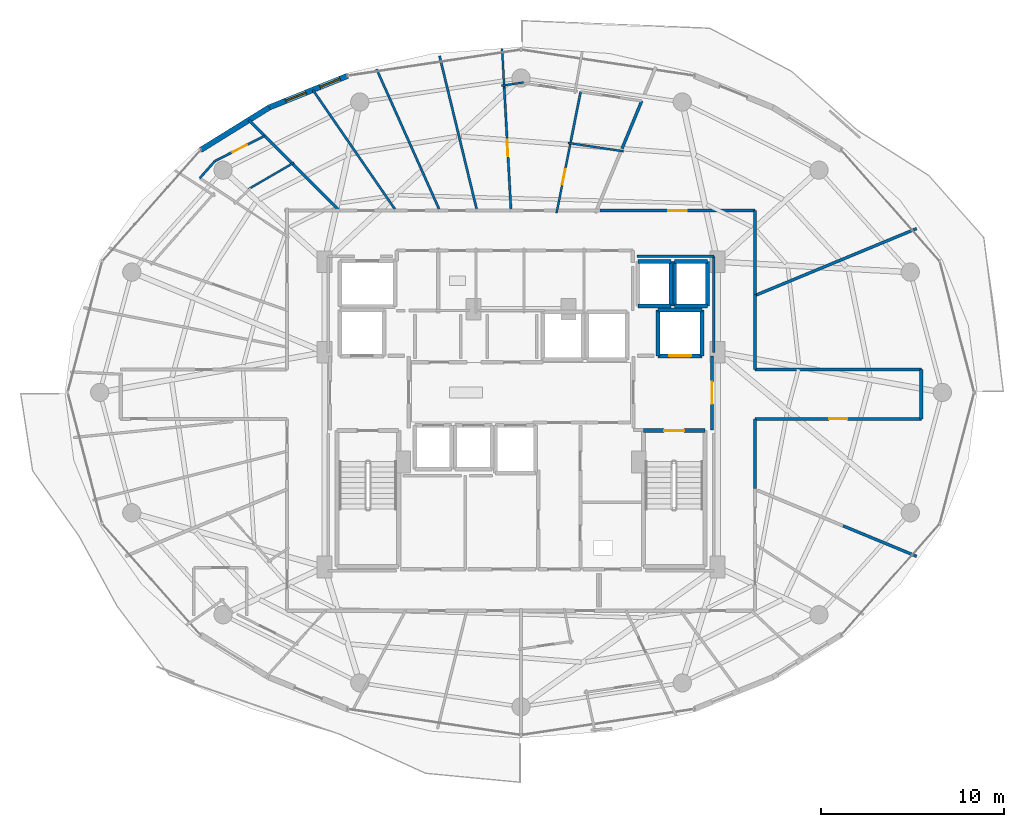
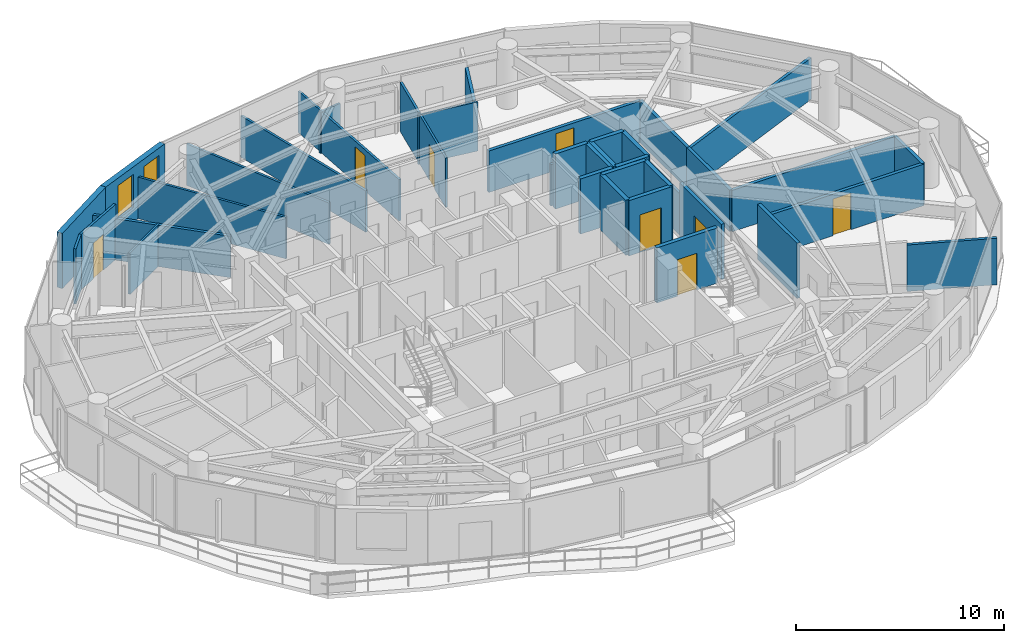
# One storey, part 24 of 28: 40 walls, 8 doors, 2 windows, 10 openings.
"""IFC4 building model written with IfcOpenShell, lengths in metres."""

from ifc_helpers import new_model, si_unit, direction, frame, frame_2d, origin, place, context, subcontext, project, spatial, rectangle, extrude, material, layer, layer_set, type_object, element, fill, save


model = new_model("IFC4")

# Units and contexts
model_context = context("Model", 3, precision=1e-05, world=origin(), true_north=direction((0.0, 1.0)))
body_context = subcontext(model_context, "Body", "Model", "MODEL_VIEW")
ifc_project = project(units=[si_unit("LENGTHUNIT", "METRE"), si_unit("AREAUNIT", "SQUARE_METRE"), si_unit("VOLUMEUNIT", "CUBIC_METRE"), si_unit("PLANEANGLEUNIT", "RADIAN"), si_unit("MASSUNIT", "GRAM", prefix="KILO")], contexts=[model_context])

# Site, building, storey
site_placement = place(None, origin())
site = spatial("IfcSite", under=ifc_project, at=site_placement, CompositionType="ELEMENT")
building_placement = place(site_placement, origin())
building = spatial("IfcBuilding", under=site, at=building_placement, Name="Vorneva Point Tower", CompositionType="ELEMENT")
storey_placement = place(building_placement, frame((0.0, 0.0, 160.60009765625)))
storey = spatial("IfcBuildingStorey", under=building, at=storey_placement, Name="L43", CompositionType="ELEMENT", Elevation=160.60009765625)

# Wall, opening, door
ifc_material_1 = material(Name="Concrete B60 (C50/60)", Category="concrete")
ifc_layer_1 = layer(ifc_material_1, 0.5)
ifc_layer_set_1 = layer_set([ifc_layer_1], Name="Concrete B60 (C50/60)")
wall_type_1 = type_object("IfcWallType", Name="WL-CORE-500", PredefinedType="SHEAR", material=ifc_layer_set_1)
wall_1_placement = place(storey_placement, frame((45.5, 28.0, 0.0), z_axis=(0.0, 0.0, 1.0), x_axis=(1.0, 0.0, 0.0)))
wall_1 = element("IfcWall", 1, at=wall_1_placement, inside=storey, type_object=wall_type_1, Name="L43 Lift FFL2 Shaft Wall -Y", PredefinedType="SHEAR", context=body_context, shape_type="SweptSolid", body=[
    extrude(rectangle(XDim=2.39990234375, YDim=0.219970703125, at=frame_2d((1.199951171875, 0.0))), origin(), (0.0, 0.0, 1.0), 3.239990234375),
])
opening_1_placement = place(wall_1_placement, frame((0.60009765625, 0.0, 0.0)))
opening_1 = element("IfcOpeningElement", 2, at=opening_1_placement, cuts=wall_1, Name="Opening LD-02", PredefinedType="OPENING", context=body_context, shape_type="SweptSolid", body=[
    extrude(rectangle(XDim=1.199951171875, YDim=2.199951171875, at=frame_2d((0.60009765625, 1.10009765625))), frame((0.0, 0.125, 0.0), z_axis=(0.0, -1.0, 0.0), x_axis=(1.0, 0.0, 0.0)), (0.0, 0.0, 1.0), 0.249755859375),
])
ifc_material_2 = material(Name="Brushed stainless steel S304", Category="steel")
door_type_1 = type_object("IfcDoorType", Name="LD-FIRE-1200", OperationType="SLIDING_TO_LEFT", PredefinedType="DOOR", material=ifc_material_2)
door_1_placement = place(opening_1_placement, origin())
door_1 = element("IfcDoor", 3, at=door_1_placement, inside=storey, type_object=door_type_1, Name="L43 Lift FFL2 Sliding Landing Door", OperationType="SLIDING_TO_LEFT", OverallHeight=2.199951171875, OverallWidth=1.199951171875, PredefinedType="DOOR", context=body_context, shape_type="SweptSolid", body=[
    extrude(rectangle(XDim=1.199951171875, YDim=2.199951171875, at=frame_2d((0.60009765625, 1.10009765625))), frame((0.0, 0.02490234375, 0.0), z_axis=(0.0, -1.0, 0.0), x_axis=(1.0, 0.0, 0.0)), (0.0, 0.0, 1.0), 0.050048828125),
])
fill(opening_1, door_1)

# Walls
wall_2_placement = place(storey_placement, frame((47.89990234375, 28.0, 0.0), z_axis=(0.0, 0.0, 1.0), x_axis=(0.0, 1.0, 0.0)))
element("IfcWall", 4, at=wall_2_placement, inside=storey, type_object=wall_type_1, Name="L43 Lift FFL2 Shaft Wall +X", PredefinedType="SHEAR", context=body_context, shape_type="SweptSolid", body=[
    extrude(rectangle(XDim=2.5, YDim=0.219970703125, at=frame_2d((1.25, 0.0))), origin(), (0.0, 0.0, 1.0), 3.239990234375),
])
wall_3_placement = place(storey_placement, frame((47.89990234375, 30.5, 0.0), z_axis=(0.0, 0.0, 1.0), x_axis=(-1.0, 0.0, 0.0)))
element("IfcWall", 5, at=wall_3_placement, inside=storey, type_object=wall_type_1, Name="L43 Lift FFL2 Shaft Wall +Y", PredefinedType="SHEAR", context=body_context, shape_type="SweptSolid", body=[
    extrude(rectangle(XDim=2.39990234375, YDim=0.219970703125, at=frame_2d((1.199951171875, 0.0))), origin(), (0.0, 0.0, 1.0), 3.239990234375),
])
wall_4_placement = place(storey_placement, frame((45.5, 30.5, 0.0), z_axis=(0.0, 0.0, 1.0), x_axis=(0.0, -1.0, 0.0)))
element("IfcWall", 6, at=wall_4_placement, inside=storey, type_object=wall_type_1, Name="L43 Lift FFL2 Shaft Wall -X", PredefinedType="SHEAR", context=body_context, shape_type="SweptSolid", body=[
    extrude(rectangle(XDim=2.5, YDim=0.219970703125, at=frame_2d((1.25, 0.0))), origin(), (0.0, 0.0, 1.0), 3.239990234375),
])

# Wall, openings, windows
ifc_material_3 = material(Name="Precast concrete B50 (C40/50)", Category="concrete")
ifc_layer_2 = layer(ifc_material_3, 0.300048828125)
ifc_layer_set_2 = layer_set([ifc_layer_2], Name="Precast concrete B50 (C40/50)")
wall_type_2 = type_object("IfcWallType", Name="WL-EXT-300", PredefinedType="STANDARD", material=ifc_layer_set_2)
wall_5_placement = place(storey_placement, frame((28.509521484375, 43.32275390625, 0.0), z_axis=(0.0, 0.0, 1.0), x_axis=(-0.927156504392, -0.374674280359, 0.0)))
wall_5 = element("IfcWall", 7, at=wall_5_placement, inside=storey, type_object=wall_type_2, Name="L43 Pale-Metal Facade Spandrel Wall 06.1", PredefinedType="STANDARD", context=body_context, shape_type="SweptSolid", body=[
    extrude(rectangle(XDim=4.62451171875, YDim=0.300048828125, at=frame_2d((2.312255859375, 0.0))), origin(), (0.0, 0.0, 1.0), 3.239990234375),
])
opening_2_placement = place(wall_5_placement, frame((0.4365234375, 0.0, 0.85009765625)))
opening_2 = element("IfcOpeningElement", 8, at=opening_2_placement, cuts=wall_5, Name="Opening W-04", PredefinedType="OPENING", context=body_context, shape_type="SweptSolid", body=[
    extrude(rectangle(XDim=1.199951171875, YDim=1.949951171875, at=frame_2d((0.60009765625, 0.97509765625))), frame((0.0, 0.1650390625, 0.0), z_axis=(0.0, -1.0, 0.0), x_axis=(1.0, 0.0, 0.0)), (0.0, 0.0, 1.0), 0.329833984375),
])
opening_3_placement = place(wall_5_placement, frame((2.453857421875, 0.0, 0.85009765625)))
opening_3 = element("IfcOpeningElement", 9, at=opening_3_placement, cuts=wall_5, Name="Opening W-04", PredefinedType="OPENING", context=body_context, shape_type="SweptSolid", body=[
    extrude(rectangle(XDim=1.199951171875, YDim=1.949951171875, at=frame_2d((0.60009765625, 0.97509765625))), frame((0.0, 0.1650390625, 0.0), z_axis=(0.0, -1.0, 0.0), x_axis=(1.0, 0.0, 0.0)), (0.0, 0.0, 1.0), 0.329833984375),
])
ifc_material_4 = material(Name="Double low-e laminated glass IGU", Category="glass")
window_type = type_object("IfcWindowType", Name="WN-RES-1200", PartitioningType="SINGLE_PANEL", PredefinedType="WINDOW", material=ifc_material_4)
window_1_placement = place(opening_2_placement, origin())
window_1 = element("IfcWindow", 10, at=window_1_placement, inside=storey, type_object=window_type, Name="L43 Dwelling Vision Window 01", OverallHeight=1.949951171875, OverallWidth=1.199951171875, PartitioningType="SINGLE_PANEL", PredefinedType="WINDOW", context=body_context, shape_type="SweptSolid", body=[
    extrude(rectangle(XDim=1.199951171875, YDim=1.949951171875, at=frame_2d((0.60009765625, 0.97509765625))), frame((0.0, 0.030029296875, 0.0), z_axis=(0.0, -1.0, 0.0), x_axis=(1.0, 0.0, 0.0)), (0.0, 0.0, 1.0), 0.06005859375),
])
fill(opening_2, window_1)
window_2_placement = place(opening_3_placement, origin())
window_2 = element("IfcWindow", 11, at=window_2_placement, inside=storey, type_object=window_type, Name="L43 Dwelling Vision Window 02", OverallHeight=1.949951171875, OverallWidth=1.199951171875, PartitioningType="SINGLE_PANEL", PredefinedType="WINDOW", context=body_context, shape_type="SweptSolid", body=[
    extrude(rectangle(XDim=1.199951171875, YDim=1.949951171875, at=frame_2d((0.60009765625, 0.97509765625))), frame((0.0, 0.030029296875, 0.0), z_axis=(0.0, -1.0, 0.0), x_axis=(1.0, 0.0, 0.0)), (0.0, 0.0, 1.0), 0.06005859375),
])
fill(opening_3, window_2)

# Wall
wall_6_placement = place(storey_placement, frame((24.221923828125, 41.590087890625, 0.0), z_axis=(0.0, 0.0, 1.0), x_axis=(-0.849721181976, -0.527232313977, 0.0)))
element("IfcWall", 12, at=wall_6_placement, inside=storey, type_object=wall_type_2, Name="L43 Pale-Metal Facade Spandrel Wall 06.2", PredefinedType="STANDARD", context=body_context, shape_type="SweptSolid", body=[
    extrude(rectangle(XDim=4.422607421875, YDim=0.300048828125, at=frame_2d((2.21142578125, 0.0))), origin(), (0.0, 0.0, 1.0), 3.239990234375),
])

# Wall, opening, door
ifc_material_5 = material(Name="Fire-rated acoustic gypsum stud partition", Category="gypsum")
ifc_layer_3 = layer(ifc_material_5, 0.110107421875)
ifc_layer_set_3 = layer_set([ifc_layer_3], Name="Fire-rated acoustic gypsum stud partition")
wall_type_3 = type_object("IfcWallType", Name="WL-PART-110", PredefinedType="PARTITIONING", material=ifc_layer_set_3)
wall_7_placement = place(storey_placement, frame((39.94580078125, 35.812744140625, 0.0), z_axis=(0.0, 0.0, 1.0), x_axis=(0.194333977895, 0.980935423479, 0.0)))
wall_7 = element("IfcWall", 13, at=wall_7_placement, inside=storey, type_object=wall_type_3, Name="L43 Interior Partition 070", PredefinedType="PARTITIONING", context=body_context, shape_type="SweptSolid", body=[
    extrude(rectangle(XDim=4.031494140625, YDim=0.110107421875, at=frame_2d((2.015625, 0.0))), origin(), (0.0, 0.0, 1.0), 2.885986328125),
])
opening_4_placement = place(wall_7_placement, frame((1.5908203125, 0.0, 0.0)))
opening_4 = element("IfcOpeningElement", 14, at=opening_4_placement, cuts=wall_7, Name="Opening ID-02", PredefinedType="OPENING", context=body_context, shape_type="SweptSolid", body=[
    extrude(rectangle(XDim=0.85009765625, YDim=2.10009765625, at=frame_2d((0.425048828125, 1.050048828125))), frame((0.0, 0.06982421875, 0.0), z_axis=(0.0, -1.0, 0.0), x_axis=(1.0, 0.0, 0.0)), (0.0, 0.0, 1.0), 0.139892578125),
])
ifc_material_6 = material(Name="Engineered oak fire-rated door leaf", Category="wood")
door_type_2 = type_object("IfcDoorType", Name="DR-BATH-850", OperationType="NOTDEFINED", PredefinedType="DOOR", material=ifc_material_6)
door_2_placement = place(opening_4_placement, origin())
door_2 = element("IfcDoor", 15, at=door_2_placement, inside=storey, type_object=door_type_2, Name="L43 Door Living and Dining Room L43-01 / Bathroom L43-01", OperationType="SINGLE_SWING_LEFT", OverallHeight=2.10009765625, OverallWidth=0.85009765625, PredefinedType="DOOR", context=body_context, shape_type="SweptSolid", body=[
    extrude(rectangle(XDim=0.85009765625, YDim=2.10009765625, at=frame_2d((0.425048828125, 1.050048828125))), frame((0.0, 0.02490234375, 0.0), z_axis=(0.0, -1.0, 0.0), x_axis=(1.0, 0.0, 0.0)), (0.0, 0.0, 1.0), 0.050048828125),
])
fill(opening_4, door_2)

# Walls
wall_8_placement = place(storey_placement, frame((38.138427734375, 42.960693359375, 0.0), z_axis=(0.0, 0.0, 1.0), x_axis=(-0.988920139242, -0.148448503534, 0.0)))
element("IfcWall", 16, at=wall_8_placement, inside=storey, type_object=wall_type_3, Name="L43 Interior Partition 073", PredefinedType="PARTITIONING", context=body_context, shape_type="SweptSolid", body=[
    extrude(rectangle(XDim=1.21533203125, YDim=0.110107421875, at=frame_2d((0.607666015625, 0.0))), origin(), (0.0, 0.0, 1.0), 2.431884765625),
])
wall_9_placement = place(storey_placement, frame((43.611328125, 39.192138671875, 0.0), z_axis=(0.0, 0.0, 1.0), x_axis=(-0.988860105068, 0.148847884116, 0.0)))
element("IfcWall", 17, at=wall_9_placement, inside=storey, type_object=wall_type_3, Name="L43 Interior Partition 078", PredefinedType="PARTITIONING", context=body_context, shape_type="SweptSolid", body=[
    extrude(rectangle(XDim=3.08203125, YDim=0.110107421875, at=frame_2d((1.541015625, 0.0))), origin(), (0.0, 0.0, 1.0), 2.885986328125),
])
wall_10_placement = place(storey_placement, frame((36.96435546875, 44.812744140625, 0.0), z_axis=(0.0, 0.0, 1.0), x_axis=(0.054949193079, -0.998489151759, 0.0)))
element("IfcWall", 18, at=wall_10_placement, inside=storey, type_object=wall_type_3, Name="L43 Interior Partition 080", PredefinedType="PARTITIONING", context=body_context, shape_type="SweptSolid", body=[
    extrude(rectangle(XDim=2.15478515625, YDim=0.110107421875, at=frame_2d((1.077392578125, 0.0))), origin(), (0.0, 0.0, 1.0), 2.431884765625),
])
wall_11_placement = place(storey_placement, frame((25.5791015625, 38.572265625, 0.0), z_axis=(0.0, 0.0, 1.0), x_axis=(-0.864754420197, -0.502194974835, 0.0)))
element("IfcWall", 19, at=wall_11_placement, inside=storey, type_object=wall_type_3, Name="L43 Interior Partition 095", PredefinedType="PARTITIONING", context=body_context, shape_type="SweptSolid", body=[
    extrude(rectangle(XDim=2.87255859375, YDim=0.110107421875, at=frame_2d((1.436279296875, 0.0))), origin(), (0.0, 0.0, 1.0), 2.431884765625),
])
ifc_layer_4 = layer(ifc_material_5, 0.125)
ifc_layer_set_4 = layer_set([ifc_layer_4], Name="Fire-rated acoustic gypsum stud partition")
wall_type_4 = type_object("IfcWallType", Name="WL-PART-125", PredefinedType="PARTITIONING", material=ifc_layer_set_4)
wall_12_placement = place(storey_placement, frame((40.729248046875, 39.767333984375, 0.0), z_axis=(0.0, 0.0, 1.0), x_axis=(0.194501549107, 0.980902210924, 0.0)))
element("IfcWall", 20, at=wall_12_placement, inside=storey, type_object=wall_type_4, Name="L43 Interior Partition 075", PredefinedType="PARTITIONING", context=body_context, shape_type="SweptSolid", body=[
    extrude(rectangle(XDim=2.73388671875, YDim=0.125, at=frame_2d((1.366943359375, 0.0))), origin(), (0.0, 0.0, 1.0), 2.885986328125),
])

# Wall, opening, door
wall_13_placement = place(storey_placement, frame((37.074951171875, 42.801025390625, 0.0), z_axis=(0.0, 0.0, 1.0), x_axis=(0.054937930554, -0.998489771498, 0.0)))
wall_13 = element("IfcWall", 21, at=wall_13_placement, inside=storey, type_object=wall_type_4, Name="L43 Interior Partition 076", PredefinedType="PARTITIONING", context=body_context, shape_type="SweptSolid", body=[
    extrude(rectangle(XDim=6.861328125, YDim=0.125, at=frame_2d((3.4306640625, 0.0))), origin(), (0.0, 0.0, 1.0), 2.431884765625),
])
opening_5_placement = place(wall_13_placement, frame((2.980712890625, 0.0, 0.0)))
opening_5 = element("IfcOpeningElement", 22, at=opening_5_placement, cuts=wall_13, Name="Opening ID-01", PredefinedType="OPENING", context=body_context, shape_type="SweptSolid", body=[
    extrude(rectangle(XDim=0.89990234375, YDim=2.10009765625, at=frame_2d((0.449951171875, 1.050048828125))), frame((0.0, 0.077392578125, 0.0), z_axis=(0.0, -1.0, 0.0), x_axis=(1.0, 0.0, 0.0)), (0.0, 0.0, 1.0), 0.15478515625),
])
door_type_3 = type_object("IfcDoorType", Name="DR-ROOM-900", OperationType="NOTDEFINED", PredefinedType="DOOR", material=ifc_material_6)
door_3_placement = place(opening_5_placement, origin())
door_3 = element("IfcDoor", 23, at=door_3_placement, inside=storey, type_object=door_type_3, Name="L43 Door Living and Dining Room L43-01 / Master Bedroom L43-01.1", OperationType="SINGLE_SWING_RIGHT", OverallHeight=2.10009765625, OverallWidth=0.89990234375, PredefinedType="DOOR", context=body_context, shape_type="SweptSolid", body=[
    extrude(rectangle(XDim=0.89990234375, YDim=2.10009765625, at=frame_2d((0.449951171875, 1.050048828125))), frame((0.0, 0.02490234375, 0.0), z_axis=(0.0, -1.0, 0.0), x_axis=(1.0, 0.0, 0.0)), (0.0, 0.0, 1.0), 0.050048828125),
])
fill(opening_5, door_3)

# Walls
wall_14_placement = place(storey_placement, frame((33.5400390625, 44.4169921875, 0.0), z_axis=(0.0, 0.0, 1.0), x_axis=(0.235427577375, -0.971891895126, 0.0)))
element("IfcWall", 24, at=wall_14_placement, inside=storey, type_object=wall_type_4, Name="L43 Interior Partition 082", PredefinedType="PARTITIONING", context=body_context, shape_type="SweptSolid", body=[
    extrude(rectangle(XDim=8.7119140625, YDim=0.125, at=frame_2d((4.35595703125, 0.0))), origin(), (0.0, 0.0, 1.0), 2.431884765625),
])
wall_15_placement = place(storey_placement, frame((30.097900390625, 43.68603515625, 0.0), z_axis=(0.0, 0.0, 1.0), x_axis=(0.407891512679, -0.913030401402, 0.0)))
element("IfcWall", 25, at=wall_15_placement, inside=storey, type_object=wall_type_4, Name="L43 Interior Partition 083", PredefinedType="PARTITIONING", context=body_context, shape_type="SweptSolid", body=[
    extrude(rectangle(XDim=8.472900390625, YDim=0.125, at=frame_2d((4.236328125, 0.0))), origin(), (0.0, 0.0, 1.0), 2.431884765625),
])
wall_16_placement = place(storey_placement, frame((26.60791015625, 42.552978515625, 0.0), z_axis=(0.0, 0.0, 1.0), x_axis=(0.566919141794, -0.823773443774, 0.0)))
element("IfcWall", 26, at=wall_16_placement, inside=storey, type_object=wall_type_4, Name="L43 Interior Partition 084", PredefinedType="PARTITIONING", context=body_context, shape_type="SweptSolid", body=[
    extrude(rectangle(XDim=8.015625, YDim=0.125, at=frame_2d((4.0078125, 0.0))), origin(), (0.0, 0.0, 1.0), 2.431884765625),
])
wall_17_placement = place(storey_placement, frame((20.427978515625, 37.72607421875, 0.0), z_axis=(0.0, 0.0, 1.0), x_axis=(0.662228388064, 0.749302049938, 0.0)))
element("IfcWall", 27, at=wall_17_placement, inside=storey, type_object=wall_type_4, Name="L43 Interior Partition 092", PredefinedType="PARTITIONING", context=body_context, shape_type="SweptSolid", body=[
    extrude(rectangle(XDim=1.25048828125, YDim=0.125, at=frame_2d((0.625244140625, 0.0))), origin(), (0.0, 0.0, 1.0), 3.239990234375),
])

# Wall, opening, door
wall_18_placement = place(storey_placement, frame((21.256103515625, 38.6630859375, 0.0), z_axis=(0.0, 0.0, 1.0), x_axis=(0.892522213595, 0.451003434842, 0.0)))
wall_18 = element("IfcWall", 28, at=wall_18_placement, inside=storey, type_object=wall_type_4, Name="L43 Interior Partition 093", PredefinedType="PARTITIONING", context=body_context, shape_type="SweptSolid", body=[
    extrude(rectangle(XDim=3.037353515625, YDim=0.125, at=frame_2d((1.5185546875, 0.0))), origin(), (0.0, 0.0, 1.0), 3.239990234375),
])
opening_6_placement = place(wall_18_placement, frame((1.06884765625, 0.0, 0.0)))
opening_6 = element("IfcOpeningElement", 29, at=opening_6_placement, cuts=wall_18, Name="Opening ID-01", PredefinedType="OPENING", context=body_context, shape_type="SweptSolid", body=[
    extrude(rectangle(XDim=0.89990234375, YDim=2.10009765625, at=frame_2d((0.449951171875, 1.050048828125))), frame((0.0, 0.077392578125, 0.0), z_axis=(0.0, -1.0, 0.0), x_axis=(1.0, 0.0, 0.0)), (0.0, 0.0, 1.0), 0.15478515625),
])
door_4_placement = place(opening_6_placement, origin())
door_4 = element("IfcDoor", 30, at=door_4_placement, inside=storey, type_object=door_type_3, Name="L43 Door Living and Dining Room L43-02 / Study Room L43-02", OperationType="SINGLE_SWING_RIGHT", OverallHeight=2.10009765625, OverallWidth=0.89990234375, PredefinedType="DOOR", context=body_context, shape_type="SweptSolid", body=[
    extrude(rectangle(XDim=0.89990234375, YDim=2.10009765625, at=frame_2d((0.449951171875, 1.050048828125))), frame((0.0, 0.02490234375, 0.0), z_axis=(0.0, -1.0, 0.0), x_axis=(1.0, 0.0, 0.0)), (0.0, 0.0, 1.0), 0.050048828125),
])
fill(opening_6, door_4)

# Walls
ifc_layer_5 = layer(ifc_material_5, 0.139892578125)
ifc_layer_set_5 = layer_set([ifc_layer_5], Name="Fire-rated acoustic gypsum stud partition")
wall_type_5 = type_object("IfcWallType", Name="WL-PART-140", PredefinedType="PARTITIONING", material=ifc_layer_set_5)
wall_19_placement = place(storey_placement, frame((48.550048828125, 28.196044921875, 0.0), z_axis=(0.0, 0.0, 1.0), x_axis=(0.0, 1.0, 0.0)))
element("IfcWall", 31, at=wall_19_placement, inside=storey, type_object=wall_type_5, Name="L43 Interior Closure Partition 141", PredefinedType="PARTITIONING", context=body_context, shape_type="SweptSolid", body=[
    extrude(rectangle(XDim=5.25390625, YDim=0.139892578125, at=frame_2d((2.626953125, 0.0))), origin(), (0.0, 0.0, 1.0), 2.431884765625),
])
wall_20_placement = place(storey_placement, frame((48.550048828125, 33.449951171875, 0.0), z_axis=(0.0, 0.0, 1.0), x_axis=(-1.0, 0.0, 0.0)))
element("IfcWall", 32, at=wall_20_placement, inside=storey, type_object=wall_type_5, Name="L43 Interior Closure Partition 142", PredefinedType="PARTITIONING", context=body_context, shape_type="SweptSolid", body=[
    extrude(rectangle(XDim=4.2099609375, YDim=0.139892578125, at=frame_2d((2.10498046875, 0.0))), origin(), (0.0, 0.0, 1.0), 2.431884765625),
])
ifc_layer_6 = layer(ifc_material_5, 0.159912109375)
ifc_layer_set_6 = layer_set([ifc_layer_6], Name="Fire-rated acoustic gypsum stud partition")
wall_type_6 = type_object("IfcWallType", Name="WL-PART-160", PredefinedType="PARTITIONING", material=ifc_layer_set_6)
wall_21_placement = place(storey_placement, frame((43.526611328125, 39.34228515625, 0.0), z_axis=(0.0, 0.0, 1.0), x_axis=(0.38263998022, 0.923897529782, 0.0)))
element("IfcWall", 33, at=wall_21_placement, inside=storey, type_object=wall_type_6, Name="L43 Interior Partition 081", PredefinedType="PARTITIONING", context=body_context, shape_type="SweptSolid", body=[
    extrude(rectangle(XDim=2.818115234375, YDim=0.159912109375, at=frame_2d((1.4091796875, 0.0))), origin(), (0.0, 0.0, 1.0), 2.885986328125),
])
wall_22_placement = place(storey_placement, frame((23.10498046875, 40.89501953125, 0.0), z_axis=(0.0, 0.0, 1.0), x_axis=(0.707106781187, -0.707106781187, 0.0)))
element("IfcWall", 34, at=wall_22_placement, inside=storey, type_object=wall_type_6, Name="L43 Interior Partition 085", PredefinedType="PARTITIONING", context=body_context, shape_type="SweptSolid", body=[
    extrude(rectangle(XDim=6.993408203125, YDim=0.159912109375, at=frame_2d((3.49658203125, 0.0))), origin(), (0.0, 0.0, 1.0), 2.431884765625),
])
wall_23_placement = place(storey_placement, frame((59.64501953125, 17.033935546875, 0.0), z_axis=(0.0, 0.0, 1.0), x_axis=(-0.923874659351, 0.382695197002, 0.0)))
element("IfcWall", 35, at=wall_23_placement, inside=storey, type_object=wall_type_6, Name="L43 Interior Partition 128", PredefinedType="PARTITIONING", context=body_context, shape_type="SweptSolid", body=[
    extrude(rectangle(XDim=4.353271484375, YDim=0.159912109375, at=frame_2d((2.1767578125, 0.0))), origin(), (0.0, 0.0, 1.0), 2.727783203125),
])
wall_24_placement = place(storey_placement, frame((59.64501953125, 34.965087890625, 0.0), z_axis=(0.0, 0.0, 1.0), x_axis=(-0.923902460479, -0.382628074665, 0.0)))
element("IfcWall", 36, at=wall_24_placement, inside=storey, type_object=wall_type_6, Name="L43 Interior Partition 130", PredefinedType="PARTITIONING", context=body_context, shape_type="SweptSolid", body=[
    extrude(rectangle(XDim=9.573486328125, YDim=0.159912109375, at=frame_2d((4.78662109375, 0.0))), origin(), (0.0, 0.0, 1.0), 2.431884765625),
])

# Wall, opening, door
ifc_material_7 = material(Name="Autoclaved aerated concrete blockwork", Category="masonry")
ifc_layer_7 = layer(ifc_material_7, 0.179931640625)
ifc_layer_set_7 = layer_set([ifc_layer_7], Name="Autoclaved aerated concrete blockwork")
wall_type_7 = type_object("IfcWallType", Name="WL-PART-180", PredefinedType="PARTITIONING", material=ifc_layer_set_7)
wall_25_placement = place(storey_placement, frame((48.449951171875, 23.949951171875, 0.0), z_axis=(0.0, 0.0, 1.0), x_axis=(0.0, 1.0, 0.0)))
wall_25 = element("IfcWall", 37, at=wall_25_placement, inside=storey, type_object=wall_type_7, Name="L43 Interior Partition 005", PredefinedType="PARTITIONING", context=body_context, shape_type="SweptSolid", body=[
    extrude(rectangle(XDim=4.050048828125, YDim=0.179931640625, at=frame_2d((2.02490234375, 0.0))), origin(), (0.0, 0.0, 1.0), 3.239990234375),
])
opening_7_placement = place(wall_25_placement, frame((1.425048828125, 0.0, 0.0)))
opening_7 = element("IfcOpeningElement", 38, at=opening_7_placement, cuts=wall_25, Name="Opening FD-02", PredefinedType="OPENING", context=body_context, shape_type="SweptSolid", body=[
    extrude(rectangle(XDim=1.199951171875, YDim=2.14990234375, at=frame_2d((0.60009765625, 1.074951171875))), frame((0.0, 0.10498046875, 0.0), z_axis=(0.0, -1.0, 0.0), x_axis=(1.0, 0.0, 0.0)), (0.0, 0.0, 1.0), 0.209716796875),
])
ifc_material_8 = material(Name="Fire-rated powder-coated steel", Category="steel")
door_type_4 = type_object("IfcDoorType", Name="DR-FFL-1200", OperationType="NOTDEFINED", PredefinedType="DOOR", material=ifc_material_8)
door_5_placement = place(opening_7_placement, origin())
door_5 = element("IfcDoor", 39, at=door_5_placement, inside=storey, type_object=door_type_4, Name="L43 Door East Firefighting Lobby / L43 Circulation Corridor", OperationType="SINGLE_SWING_LEFT", OverallHeight=2.14990234375, OverallWidth=1.199951171875, PredefinedType="DOOR", context=body_context, shape_type="SweptSolid", body=[
    extrude(rectangle(XDim=1.199951171875, YDim=2.14990234375, at=frame_2d((0.60009765625, 1.074951171875))), frame((0.0, 0.02490234375, 0.0), z_axis=(0.0, -1.0, 0.0), x_axis=(1.0, 0.0, 0.0)), (0.0, 0.0, 1.0), 0.050048828125),
])
fill(opening_7, door_5)

# Wall
wall_26_placement = place(storey_placement, frame((50.800048828125, 20.758056640625, 0.0), z_axis=(0.0, 0.0, 1.0), x_axis=(0.0, 1.0, 0.0)))
element("IfcWall", 40, at=wall_26_placement, inside=storey, type_object=wall_type_7, Name="L43 Interior Partition 063", PredefinedType="PARTITIONING", context=body_context, shape_type="SweptSolid", body=[
    extrude(rectangle(XDim=3.7919921875, YDim=0.179931640625, at=frame_2d((1.89599609375, 0.0))), origin(), (0.0, 0.0, 1.0), 3.239990234375),
])

# Wall, opening, door
wall_27_placement = place(storey_placement, frame((50.800048828125, 24.550048828125, 0.0), z_axis=(0.0, 0.0, 1.0), x_axis=(1.0, 0.0, 0.0)))
wall_27 = element("IfcWall", 41, at=wall_27_placement, inside=storey, type_object=wall_type_7, Name="L43 Interior Partition 064", PredefinedType="PARTITIONING", context=body_context, shape_type="SweptSolid", body=[
    extrude(rectangle(XDim=9.099853515625, YDim=0.179931640625, at=frame_2d((4.5498046875, 0.0))), origin(), (0.0, 0.0, 1.0), 2.431884765625),
])
opening_8_placement = place(wall_27_placement, frame((4.050048828125, 0.0, 0.0)))
opening_8 = element("IfcOpeningElement", 42, at=opening_8_placement, cuts=wall_27, Name="Opening UD-01", PredefinedType="OPENING", context=body_context, shape_type="SweptSolid", body=[
    extrude(rectangle(XDim=1.0, YDim=2.14990234375, at=frame_2d((0.5, 1.074951171875))), frame((0.0, 0.10498046875, 0.0), z_axis=(0.0, -1.0, 0.0), x_axis=(1.0, 0.0, 0.0)), (0.0, 0.0, 1.0), 0.209716796875),
])
door_type_5 = type_object("IfcDoorType", Name="DR-UNIT-1000", OperationType="NOTDEFINED", PredefinedType="DOOR", material=ifc_material_6)
door_6_placement = place(opening_8_placement, origin())
door_6 = element("IfcDoor", 43, at=door_6_placement, inside=storey, type_object=door_type_5, Name="L43 Door L43 Circulation Corridor / Residents Co-Working Office L43-05", OperationType="SINGLE_SWING_LEFT", OverallHeight=2.14990234375, OverallWidth=1.0, PredefinedType="DOOR", context=body_context, shape_type="SweptSolid", body=[
    extrude(rectangle(XDim=1.0, YDim=2.14990234375, at=frame_2d((0.5, 1.074951171875))), frame((0.0, 0.02490234375, 0.0), z_axis=(0.0, -1.0, 0.0), x_axis=(1.0, 0.0, 0.0)), (0.0, 0.0, 1.0), 0.050048828125),
])
fill(opening_8, door_6)

# Walls
wall_28_placement = place(storey_placement, frame((59.89990234375, 24.550048828125, 0.0), z_axis=(0.0, 0.0, 1.0), x_axis=(0.0, 1.0, 0.0)))
element("IfcWall", 44, at=wall_28_placement, inside=storey, type_object=wall_type_7, Name="L43 Interior Partition 065", PredefinedType="PARTITIONING", context=body_context, shape_type="SweptSolid", body=[
    extrude(rectangle(XDim=2.699951171875, YDim=0.179931640625, at=frame_2d((1.35009765625, 0.0))), origin(), (0.0, 0.0, 1.0), 2.431884765625),
])
wall_29_placement = place(storey_placement, frame((59.89990234375, 27.25, 0.0), z_axis=(0.0, 0.0, 1.0), x_axis=(-1.0, 0.0, 0.0)))
element("IfcWall", 45, at=wall_29_placement, inside=storey, type_object=wall_type_7, Name="L43 Interior Partition 066", PredefinedType="PARTITIONING", context=body_context, shape_type="SweptSolid", body=[
    extrude(rectangle(XDim=9.099853515625, YDim=0.179931640625, at=frame_2d((4.5498046875, 0.0))), origin(), (0.0, 0.0, 1.0), 2.431884765625),
])
wall_30_placement = place(storey_placement, frame((50.800048828125, 27.25, 0.0), z_axis=(0.0, 0.0, 1.0), x_axis=(0.0, 1.0, 0.0)))
element("IfcWall", 46, at=wall_30_placement, inside=storey, type_object=wall_type_7, Name="L43 Interior Partition 067", PredefinedType="PARTITIONING", context=body_context, shape_type="SweptSolid", body=[
    extrude(rectangle(XDim=4.116943359375, YDim=0.179931640625, at=frame_2d((2.05859375, 0.0))), origin(), (0.0, 0.0, 1.0), 2.431884765625),
])
wall_31_placement = place(storey_placement, frame((50.800048828125, 31.366943359375, 0.0), z_axis=(0.0, 0.0, 1.0), x_axis=(0.0, 1.0, 0.0)))
element("IfcWall", 47, at=wall_31_placement, inside=storey, type_object=wall_type_7, Name="L43 Interior Partition 068", PredefinedType="PARTITIONING", context=body_context, shape_type="SweptSolid", body=[
    extrude(rectangle(XDim=4.5830078125, YDim=0.179931640625, at=frame_2d((2.29150390625, 0.0))), origin(), (0.0, 0.0, 1.0), 2.431884765625),
])

# Wall, opening, door
wall_32_placement = place(storey_placement, frame((50.800048828125, 35.949951171875, 0.0), z_axis=(0.0, 0.0, 1.0), x_axis=(-1.0, 0.0, 0.0)))
wall_32 = element("IfcWall", 48, at=wall_32_placement, inside=storey, type_object=wall_type_7, Name="L43 Interior Partition 069", PredefinedType="PARTITIONING", context=body_context, shape_type="SweptSolid", body=[
    extrude(rectangle(XDim=8.47412109375, YDim=0.179931640625, at=frame_2d((4.237060546875, 0.0))), origin(), (0.0, 0.0, 1.0), 2.431884765625),
])
opening_9_placement = place(wall_32_placement, frame((3.737060546875, 0.0, 0.0)))
opening_9 = element("IfcOpeningElement", 49, at=opening_9_placement, cuts=wall_32, Name="Opening UD-01", PredefinedType="OPENING", context=body_context, shape_type="SweptSolid", body=[
    extrude(rectangle(XDim=1.0, YDim=2.14990234375, at=frame_2d((0.5, 1.074951171875))), frame((0.0, 0.10498046875, 0.0), z_axis=(0.0, -1.0, 0.0), x_axis=(1.0, 0.0, 0.0)), (0.0, 0.0, 1.0), 0.209716796875),
])
door_7_placement = place(opening_9_placement, origin())
door_7 = element("IfcDoor", 50, at=door_7_placement, inside=storey, type_object=door_type_5, Name="L43 Door L43 Circulation Corridor / Residents Fitness Studio L43-06", OperationType="SINGLE_SWING_RIGHT", OverallHeight=2.14990234375, OverallWidth=1.0, PredefinedType="DOOR", context=body_context, shape_type="SweptSolid", body=[
    extrude(rectangle(XDim=1.0, YDim=2.14990234375, at=frame_2d((0.5, 1.074951171875))), frame((0.0, 0.02490234375, 0.0), z_axis=(0.0, -1.0, 0.0), x_axis=(1.0, 0.0, 0.0)), (0.0, 0.0, 1.0), 0.050048828125),
])
fill(opening_9, door_7)

ifc_material_9 = material(Name="Concrete B50 (C40/50)", Category="concrete")
ifc_layer_8 = layer(ifc_material_9, 0.219970703125)
ifc_layer_set_8 = layer_set([ifc_layer_8], Name="Concrete B50 (C40/50)")
wall_type_8 = type_object("IfcWallType", Name="WL-SHFT-220", PredefinedType="SOLIDWALL", material=ifc_layer_set_8)
wall_33_placement = place(storey_placement, frame((44.68994140625, 23.909912109375, 0.0), z_axis=(0.0, 0.0, 1.0), x_axis=(1.0, 0.0, 0.0)))
wall_33 = element("IfcWall", 51, at=wall_33_placement, inside=storey, type_object=wall_type_8, Name="L43 Exit Stair ST2 Shaft Wall near", PredefinedType="SOLIDWALL", context=body_context, shape_type="SweptSolid", body=[
    extrude(rectangle(XDim=3.3701171875, YDim=0.219970703125, at=frame_2d((1.68505859375, 0.0))), origin(), (0.0, 0.0, 1.0), 3.239990234375),
])
opening_10_placement = place(wall_33_placement, frame((1.135009765625, 0.0, 0.0)))
opening_10 = element("IfcOpeningElement", 52, at=opening_10_placement, cuts=wall_33, Name="Opening FD-01", PredefinedType="OPENING", context=body_context, shape_type="SweptSolid", body=[
    extrude(rectangle(XDim=1.10009765625, YDim=2.14990234375, at=frame_2d((0.550048828125, 1.074951171875))), frame((0.0, 0.125, 0.0), z_axis=(0.0, -1.0, 0.0), x_axis=(1.0, 0.0, 0.0)), (0.0, 0.0, 1.0), 0.249755859375),
])
door_type_6 = type_object("IfcDoorType", Name="DR-STAIR-1100", OperationType="NOTDEFINED", PredefinedType="DOOR", material=ifc_material_8)
door_8_placement = place(opening_10_placement, origin())
door_8 = element("IfcDoor", 53, at=door_8_placement, inside=storey, type_object=door_type_6, Name="L43 Exit Stair ST2 Fire Door", OperationType="SINGLE_SWING_RIGHT", OverallHeight=2.14990234375, OverallWidth=1.10009765625, PredefinedType="DOOR", context=body_context, shape_type="SweptSolid", body=[
    extrude(rectangle(XDim=1.10009765625, YDim=2.14990234375, at=frame_2d((0.550048828125, 1.074951171875))), frame((0.0, 0.02490234375, 0.0), z_axis=(0.0, -1.0, 0.0), x_axis=(1.0, 0.0, 0.0)), (0.0, 0.0, 1.0), 0.050048828125),
])
fill(opening_10, door_8)

# Walls
wall_34_placement = place(storey_placement, frame((44.39990234375, 30.739990234375, 0.0), z_axis=(0.0, 0.0, 1.0), x_axis=(1.0, 0.0, 0.0)))
element("IfcWall", 54, at=wall_34_placement, inside=storey, type_object=wall_type_8, Name="L43 Lift EX1 Shaft Wall -Y", PredefinedType="SOLIDWALL", context=body_context, shape_type="SweptSolid", body=[
    extrude(rectangle(XDim=1.800048828125, YDim=0.219970703125, at=frame_2d((0.89990234375, 0.0))), origin(), (0.0, 0.0, 1.0), 3.239990234375),
])
wall_35_placement = place(storey_placement, frame((46.199951171875, 30.739990234375, 0.0), z_axis=(0.0, 0.0, 1.0), x_axis=(0.0, 1.0, 0.0)))
element("IfcWall", 55, at=wall_35_placement, inside=storey, type_object=wall_type_8, Name="L43 Lift EX1 Shaft Wall +X", PredefinedType="SOLIDWALL", context=body_context, shape_type="SweptSolid", body=[
    extrude(rectangle(XDim=2.419921875, YDim=0.219970703125, at=frame_2d((1.2099609375, 0.0))), origin(), (0.0, 0.0, 1.0), 3.239990234375),
])
for number, where, z_axis, x_axis, name in (
    (56, (46.199951171875, 33.159912109375, 0.0), (0.0, 0.0, 1.0), (-1.0, 0.0, 0.0), "L43 Lift EX1 Shaft Wall +Y"),
    (57, (46.39990234375, 30.739990234375, 0.0), (0.0, 0.0, 1.0), (1.0, 0.0, 0.0), "L43 Lift EX2 Shaft Wall -Y"),
):
    element("IfcWall", number, at=place(storey_placement, frame(where, z_axis=z_axis, x_axis=x_axis)), inside=storey, type_object=wall_type_8, Name=name, PredefinedType="SOLIDWALL", context=body_context, shape_type="SweptSolid", body=[
        extrude(rectangle(XDim=1.800048828125, YDim=0.219970703125, at=frame_2d((0.89990234375, 0.0))), origin(), (0.0, 0.0, 1.0), 3.239990234375),
    ])
wall_36_placement = place(storey_placement, frame((48.199951171875, 30.739990234375, 0.0), z_axis=(0.0, 0.0, 1.0), x_axis=(0.0, 1.0, 0.0)))
element("IfcWall", 58, at=wall_36_placement, inside=storey, type_object=wall_type_8, Name="L43 Lift EX2 Shaft Wall +X", PredefinedType="SOLIDWALL", context=body_context, shape_type="SweptSolid", body=[
    extrude(rectangle(XDim=2.419921875, YDim=0.219970703125, at=frame_2d((1.2099609375, 0.0))), origin(), (0.0, 0.0, 1.0), 3.239990234375),
])
wall_37_placement = place(storey_placement, frame((48.199951171875, 33.159912109375, 0.0), z_axis=(0.0, 0.0, 1.0), x_axis=(-1.0, 0.0, 0.0)))
element("IfcWall", 59, at=wall_37_placement, inside=storey, type_object=wall_type_8, Name="L43 Lift EX2 Shaft Wall +Y", PredefinedType="SOLIDWALL", context=body_context, shape_type="SweptSolid", body=[
    extrude(rectangle(XDim=1.800048828125, YDim=0.219970703125, at=frame_2d((0.89990234375, 0.0))), origin(), (0.0, 0.0, 1.0), 3.239990234375),
])
wall_38_placement = place(storey_placement, frame((46.39990234375, 33.159912109375, 0.0), z_axis=(0.0, 0.0, 1.0), x_axis=(0.0, -1.0, 0.0)))
element("IfcWall", 60, at=wall_38_placement, inside=storey, type_object=wall_type_8, Name="L43 Lift EX2 Shaft Wall -X", PredefinedType="SOLIDWALL", context=body_context, shape_type="SweptSolid", body=[
    extrude(rectangle(XDim=2.419921875, YDim=0.219970703125, at=frame_2d((1.2099609375, 0.0))), origin(), (0.0, 0.0, 1.0), 3.239990234375),
])

save(model, "model.ifc")
